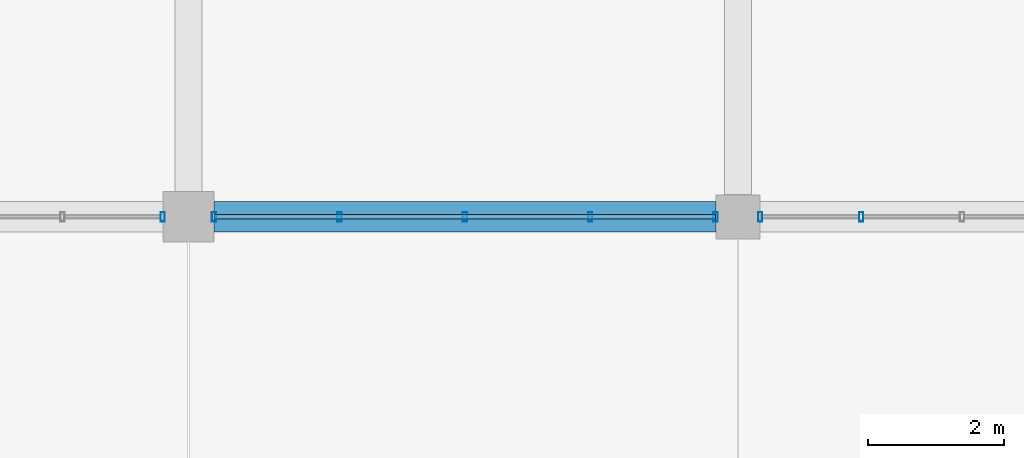
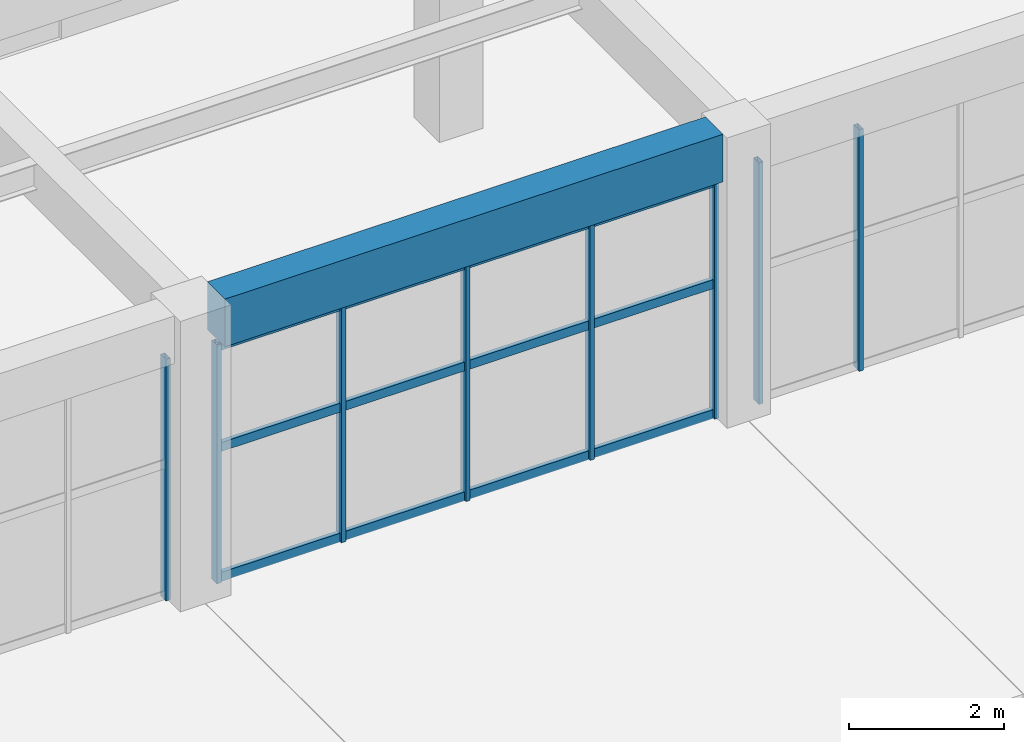
# One storey, part 40 of 161: 11 members, 1 beam, 3 elements without a shape of their own.
"""IFC4 building model written with IfcOpenShell, lengths in metres."""

from ifc_helpers import new_model, si_unit, direction, frame, origin, origin_2d, place, context, subcontext, project, spatial, rectangle, hollow_rectangle, extrude, material, material_profile, profile_set, type_object, element, aggregate, save


model = new_model("IFC4")

# Units and contexts
model_context = context("Model", 3, precision=1e-05, world=origin(), true_north=direction((0.0, 1.0)))
body_context = subcontext(model_context, "Body", "Model", "MODEL_VIEW")
ifc_project = project(units=[si_unit("LENGTHUNIT", "METRE"), si_unit("AREAUNIT", "SQUARE_METRE"), si_unit("VOLUMEUNIT", "CUBIC_METRE"), si_unit("PLANEANGLEUNIT", "RADIAN"), si_unit("MASSUNIT", "GRAM", prefix="KILO")], contexts=[model_context])

# Site, building, storey
site_placement = place(None, origin())
site = spatial("IfcSite", under=ifc_project, at=site_placement, CompositionType="ELEMENT")
building_placement = place(site_placement, origin())
building = spatial("IfcBuilding", under=site, at=building_placement, Name="Cimatlan Art Gallery", CompositionType="ELEMENT")
storey_placement = place(building_placement, frame((0.0, 0.0, 5.39990234375)))
storey = spatial("IfcBuildingStorey", under=building, at=storey_placement, Name="L01", CompositionType="ELEMENT", Elevation=5.39990234375)

# Beam
ifc_material_1 = material(Name="Concrete C40/50", Category="concrete")
ifc_material_profile_1 = material_profile(ifc_material_1, rectangle(XDim=0.449951171875, YDim=0.75, at=origin_2d()), Name="RC450X750")
ifc_profile_set_1 = profile_set([ifc_material_profile_1], Name="Concrete C40/50")
beam_type = type_object("IfcBeamType", Name="BM-RC-450X750", PredefinedType="BEAM", material=ifc_profile_set_1)
beam_placement = place(storey_placement, frame((99.574951171875, 23.89990234375, 4.18505859375), z_axis=(1.0, 0.0, 0.0), x_axis=(0.0, 1.0, 0.0)))
element("IfcBeam", 1, at=beam_placement, inside=storey, type_object=beam_type, Name="BM-X-L01-12-03", PredefinedType="BEAM", context=body_context, shape_type="SweptSolid", body=[
    extrude(rectangle(XDim=0.449951171875, YDim=0.75, at=origin_2d()), origin(), (0.0, 0.0, 1.0), 7.400146484375),
])

# Curtain wall, member
ifc_material_2 = material(Name="Anodised bronze unitised curtain wall")
curtain_wall_type_1 = type_object("IfcCurtainWallType", Name="CW-V-07392X03795-B5", PredefinedType="NOTDEFINED", material=ifc_material_2)
curtain_wall_1_placement = place(storey_placement, origin())
curtain_wall_1 = element("IfcCurtainWall", 2, at=curtain_wall_1_placement, inside=storey, type_object=curtain_wall_type_1, Name="CW-L01-11-03-S", PredefinedType="NOTDEFINED")
ifc_material_3 = material(Name="Anodised bronze aluminium 6063-T6", Category="aluminium")
ifc_material_profile_2 = material_profile(ifc_material_3, hollow_rectangle(XDim=0.06494140625, YDim=0.139892578125, WallThickness=0.00390625, at=origin_2d()), Name="ALU65X140X4")
ifc_profile_set_2 = profile_set([ifc_material_profile_2], Name="Anodised bronze aluminium 6063-T6")
member_type_1 = type_object("IfcMemberType", Name="CW-MUL-140", PredefinedType="MULLION", material=ifc_profile_set_2)
member_1_placement = place(storey_placement, frame((98.821044921875, 23.89990234375, 0.0), z_axis=(0.0, 0.0, 1.0), x_axis=(1.0, 0.0, 0.0)))
member_1 = element("IfcMember", 3, at=member_1_placement, type_object=member_type_1, Name="CW-L01-11-03-S-M1", PredefinedType="MULLION", context=body_context, shape_type="SweptSolid", body=[
    extrude(hollow_rectangle(XDim=0.06494140625, YDim=0.139892578125, WallThickness=0.00390625, at=origin_2d()), origin(), (0.0, 0.0, 1.0), 3.795166015625),
])
aggregate(curtain_wall_1, [member_1])

# Curtain wall, members
curtain_wall_type_2 = type_object("IfcCurtainWallType", Name="CW-V-07392X03750-B4", PredefinedType="NOTDEFINED", material=ifc_material_2)
curtain_wall_2_placement = place(storey_placement, origin())
curtain_wall_2 = element("IfcCurtainWall", 4, at=curtain_wall_2_placement, inside=storey, type_object=curtain_wall_type_2, Name="CW-L01-12-03-S", PredefinedType="NOTDEFINED")
member_2_placement = place(storey_placement, frame((106.970947265625, 23.89990234375, 0.0), z_axis=(0.0, 0.0, 1.0), x_axis=(1.0, 0.0, 0.0)))
member_2 = element("IfcMember", 5, at=member_2_placement, type_object=member_type_1, Name="CW-L01-12-03-S-M1", PredefinedType="MULLION", context=body_context, shape_type="SweptSolid", body=[
    extrude(hollow_rectangle(XDim=0.06494140625, YDim=0.139892578125, WallThickness=0.00390625, at=origin_2d()), origin(), (0.0, 0.0, 1.0), 3.75),
])
member_3_placement = place(storey_placement, frame((105.123046875, 23.89990234375, 0.0), z_axis=(0.0, 0.0, 1.0), x_axis=(1.0, 0.0, 0.0)))
member_3 = element("IfcMember", 6, at=member_3_placement, type_object=member_type_1, Name="CW-L01-12-03-S-M2", PredefinedType="MULLION", context=body_context, shape_type="SweptSolid", body=[
    extrude(hollow_rectangle(XDim=0.06494140625, YDim=0.139892578125, WallThickness=0.00390625, at=origin_2d()), origin(), (0.0, 0.0, 1.0), 3.75),
])
member_4_placement = place(storey_placement, frame((103.27490234375, 23.89990234375, 0.0), z_axis=(0.0, 0.0, 1.0), x_axis=(1.0, 0.0, 0.0)))
member_4 = element("IfcMember", 7, at=member_4_placement, type_object=member_type_1, Name="CW-L01-12-03-S-M3", PredefinedType="MULLION", context=body_context, shape_type="SweptSolid", body=[
    extrude(hollow_rectangle(XDim=0.06494140625, YDim=0.139892578125, WallThickness=0.00390625, at=origin_2d()), origin(), (0.0, 0.0, 1.0), 3.75),
])
member_5_placement = place(storey_placement, frame((101.427001953125, 23.89990234375, 0.0), z_axis=(0.0, 0.0, 1.0), x_axis=(1.0, 0.0, 0.0)))
member_5 = element("IfcMember", 8, at=member_5_placement, type_object=member_type_1, Name="CW-L01-12-03-S-M4", PredefinedType="MULLION", context=body_context, shape_type="SweptSolid", body=[
    extrude(hollow_rectangle(XDim=0.06494140625, YDim=0.139892578125, WallThickness=0.00390625, at=origin_2d()), origin(), (0.0, 0.0, 1.0), 3.75),
])
member_6_placement = place(storey_placement, frame((99.5791015625, 23.89990234375, 0.0), z_axis=(0.0, 0.0, 1.0), x_axis=(1.0, 0.0, 0.0)))
member_6 = element("IfcMember", 9, at=member_6_placement, type_object=member_type_1, Name="CW-L01-12-03-S-M5", PredefinedType="MULLION", context=body_context, shape_type="SweptSolid", body=[
    extrude(hollow_rectangle(XDim=0.06494140625, YDim=0.139892578125, WallThickness=0.00390625, at=origin_2d()), origin(), (0.0, 0.0, 1.0), 3.75),
])

curtain_wall_type_3 = type_object("IfcCurtainWallType", Name="CW-V-07442X03795-B5", PredefinedType="NOTDEFINED", material=ifc_material_2)
curtain_wall_3_placement = place(storey_placement, origin())
curtain_wall_3 = element("IfcCurtainWall", 10, at=curtain_wall_3_placement, inside=storey, type_object=curtain_wall_type_3, Name="CW-L01-13-03-S", PredefinedType="NOTDEFINED")
member_7_placement = place(storey_placement, frame((109.117431640625, 23.89990234375, 0.0), z_axis=(0.0, 0.0, 1.0), x_axis=(1.0, 0.0, 0.0)))
member_7 = element("IfcMember", 11, at=member_7_placement, type_object=member_type_1, Name="CW-L01-13-03-S-M5", PredefinedType="MULLION", context=body_context, shape_type="SweptSolid", body=[
    extrude(hollow_rectangle(XDim=0.06494140625, YDim=0.139892578125, WallThickness=0.00390625, at=origin_2d()), origin(), (0.0, 0.0, 1.0), 3.795166015625),
])
member_8_placement = place(storey_placement, frame((107.62890625, 23.89990234375, 0.0), z_axis=(0.0, 0.0, 1.0), x_axis=(1.0, 0.0, 0.0)))
member_8 = element("IfcMember", 12, at=member_8_placement, type_object=member_type_1, Name="CW-L01-13-03-S-M6", PredefinedType="MULLION", context=body_context, shape_type="SweptSolid", body=[
    extrude(hollow_rectangle(XDim=0.06494140625, YDim=0.139892578125, WallThickness=0.00390625, at=origin_2d()), origin(), (0.0, 0.0, 1.0), 3.795166015625),
])
aggregate(curtain_wall_3, [member_7, member_8])

# Member
ifc_material_profile_3 = material_profile(ifc_material_3, hollow_rectangle(XDim=0.06494140625, YDim=0.139892578125, WallThickness=0.00390625, at=origin_2d()), Name="ALU65X140X4")
ifc_profile_set_3 = profile_set([ifc_material_profile_3], Name="Anodised bronze aluminium 6063-T6")
member_type_2 = type_object("IfcMemberType", Name="CW-TRN-140", PredefinedType="USERDEFINED", material=ifc_profile_set_3)
member_9_placement = place(storey_placement, frame((106.970947265625, 23.89990234375, 0.06005859375), z_axis=(-1.0, 0.0, 0.0), x_axis=(0.0, -1.0, 0.0)))
member_9 = element("IfcMember", 13, at=member_9_placement, type_object=member_type_2, Name="CW-L01-12-03-S-T1", ObjectType="TRANSOM", PredefinedType="USERDEFINED", context=body_context, shape_type="SweptSolid", body=[
    extrude(hollow_rectangle(XDim=0.06494140625, YDim=0.139892578125, WallThickness=0.00390625, at=origin_2d()), origin(), (0.0, 0.0, 1.0), 7.391845703125),
])

member_10_placement = place(storey_placement, frame((106.970947265625, 23.89990234375, 2.10009765625), z_axis=(-1.0, 0.0, 0.0), x_axis=(0.0, -1.0, 0.0)))
member_10 = element("IfcMember", 14, at=member_10_placement, type_object=member_type_2, Name="CW-L01-12-03-S-T2", ObjectType="TRANSOM", PredefinedType="USERDEFINED", context=body_context, shape_type="SweptSolid", body=[
    extrude(hollow_rectangle(XDim=0.06494140625, YDim=0.139892578125, WallThickness=0.00390625, at=origin_2d()), origin(), (0.0, 0.0, 1.0), 7.391845703125),
])

member_11_placement = place(storey_placement, frame((106.970947265625, 23.89990234375, 3.690185546875), z_axis=(-1.0, 0.0, 0.0), x_axis=(0.0, -1.0, 0.0)))
member_11 = element("IfcMember", 15, at=member_11_placement, type_object=member_type_2, Name="CW-L01-12-03-S-T3", ObjectType="TRANSOM", PredefinedType="USERDEFINED", context=body_context, shape_type="SweptSolid", body=[
    extrude(hollow_rectangle(XDim=0.06494140625, YDim=0.139892578125, WallThickness=0.00390625, at=origin_2d()), origin(), (0.0, 0.0, 1.0), 7.391845703125),
])

aggregate(curtain_wall_2, [member_2, member_3, member_4, member_5, member_6, member_9, member_10, member_11])

save(model, "model.ifc")
